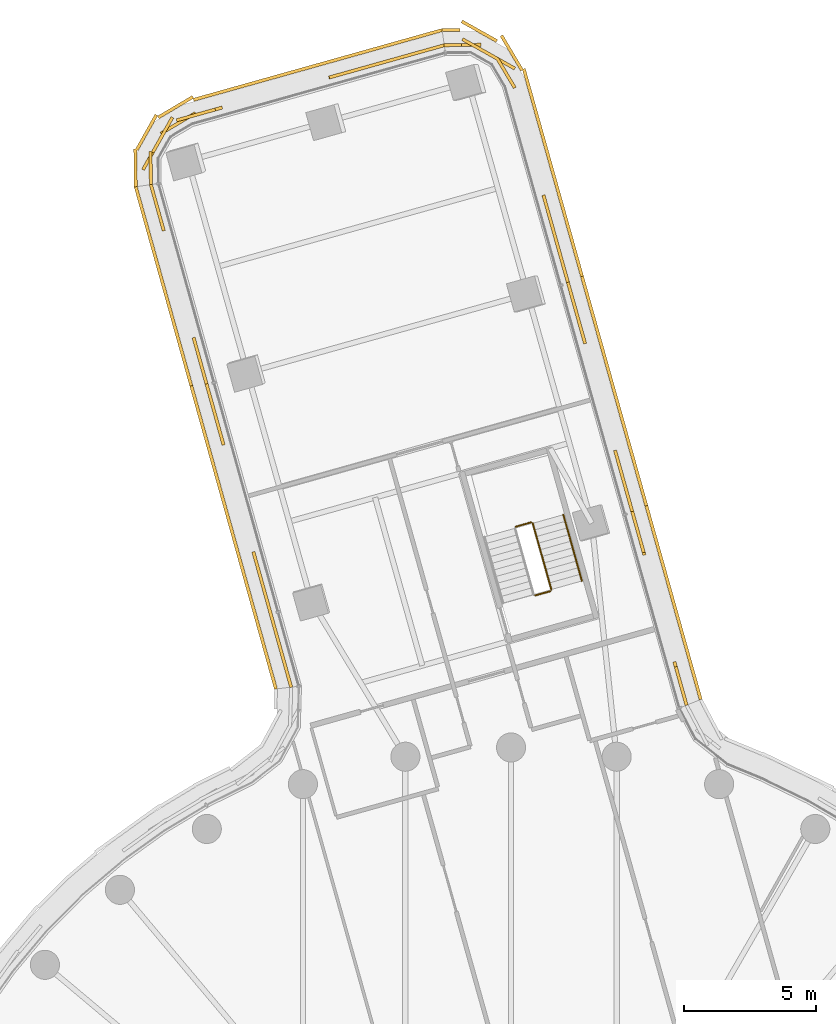
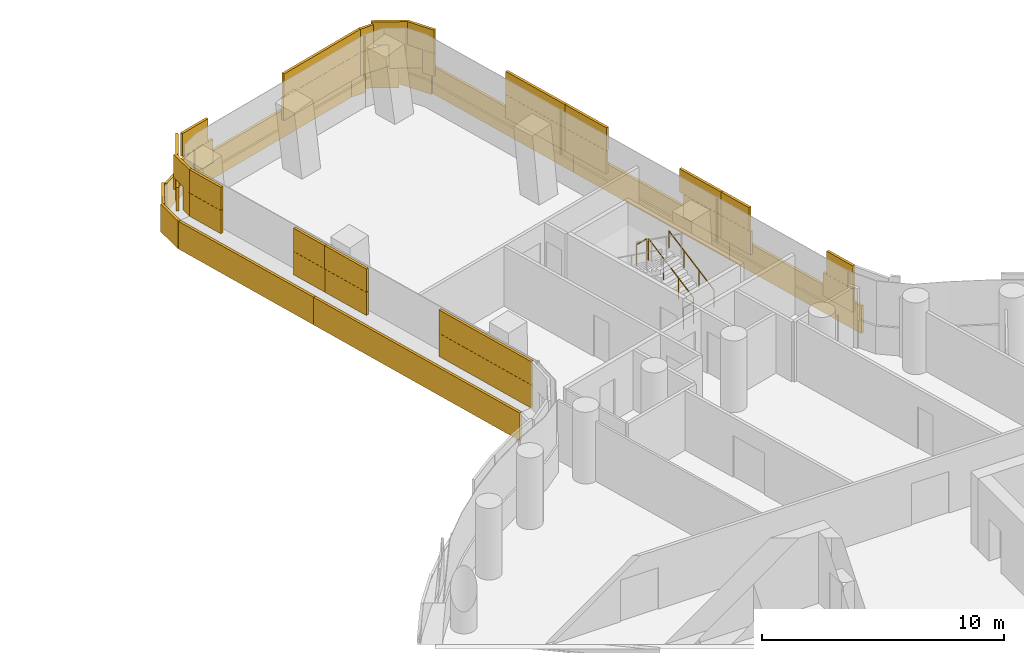
# One storey, part 30 of 30: 6 coverings, 4 railings.
"""IFC4 building model written with IfcOpenShell, lengths in metres."""

from ifc_helpers import new_model, si_unit, direction, frame, origin, origin_2d, place, context, subcontext, project, spatial, rectangle, circle, extrude, material, layer, layer_set, type_object, element, save


model = new_model("IFC4")

# Units and contexts
model_context = context("Model", 3, precision=1e-05, world=origin(), true_north=direction((0.0, 1.0)))
body_context = subcontext(model_context, "Body", "Model", "MODEL_VIEW")
ifc_project = project(units=[si_unit("LENGTHUNIT", "METRE"), si_unit("AREAUNIT", "SQUARE_METRE"), si_unit("VOLUMEUNIT", "CUBIC_METRE"), si_unit("PLANEANGLEUNIT", "RADIAN"), si_unit("MASSUNIT", "GRAM", prefix="KILO")], contexts=[model_context])

# Site, building, storey
site_placement = place(None, origin())
site = spatial("IfcSite", under=ifc_project, at=site_placement, CompositionType="ELEMENT")
building_placement = place(site_placement, origin())
building = spatial("IfcBuilding", under=site, at=building_placement, Name="Tamarind Cross Interchange Tower", CompositionType="ELEMENT")
storey_placement = place(building_placement, frame((0.0, 0.0, 91.0)))
storey = spatial("IfcBuildingStorey", under=building, at=storey_placement, Name="L21", CompositionType="ELEMENT", Elevation=91.0)

# Railings
ifc_material_1 = material(Name="Stair guard")
railing_type_1 = type_object("IfcRailingType", Name="Stair guard", PredefinedType="GUARDRAIL", material=ifc_material_1)
railing_1_placement = place(storey_placement, frame((1.523681640625, 28.970703125, 0.17041015625)))
element("IfcRailing", 1, at=railing_1_placement, inside=storey, type_object=railing_type_1, Name="L21 ST4 stair guard 1", PredefinedType="GUARDRAIL", context=body_context, shape_type="SweptSolid", body=[
    extrude(circle(Radius=0.02392578125, at=origin_2d()), frame((0.0, 0.0, 1.076171875), z_axis=(-0.225919982143, 0.805208028118, 0.548270182594), x_axis=(-0.962820530376, -0.270141863262, 0.0)), (0.0, 0.0, 1.0), 3.109130859375),
    extrude(circle(Radius=0.02099609375, at=origin_2d()), origin(), (0.0, 0.0, 1.0), 1.052001953125),
    extrude(circle(Radius=0.02099609375, at=origin_2d()), frame((-0.234130859375, 0.83447265625, 0.568115234375)), (0.0, 0.0, 1.0), 1.052001953125),
    extrude(circle(Radius=0.02099609375, at=origin_2d()), frame((-0.46826171875, 1.6689453125, 1.136474609375)), (0.0, 0.0, 1.0), 1.052001953125),
    extrude(circle(Radius=0.02099609375, at=origin_2d()), frame((-0.702392578125, 2.50341796875, 1.70458984375)), (0.0, 0.0, 1.0), 1.052001953125),
])
railing_2_placement = place(storey_placement, frame((0.759765625, 31.5087890625, 1.875)))
element("IfcRailing", 2, at=railing_2_placement, inside=storey, type_object=railing_type_1, Name="L21 ST4 stair guard 2", PredefinedType="GUARDRAIL", context=body_context, shape_type="SweptSolid", body=[
    extrude(circle(Radius=0.02392578125, at=origin_2d()), frame((0.0, 0.0, 1.076171875), z_axis=(-0.962832941944, -0.27009762292, 0.0), x_axis=(0.27009762292, -0.962832941944, 0.0)), (0.0, 0.0, 1.0), 0.60009765625),
    extrude(circle(Radius=0.02099609375, at=origin_2d()), origin(), (0.0, 0.0, 1.0), 1.052001953125),
    extrude(circle(Radius=0.02099609375, at=origin_2d()), frame((-0.577880859375, -0.162109375, 0.0)), (0.0, 0.0, 1.0), 1.052001953125),
])
railing_3_placement = place(storey_placement, frame((1.489013671875, 28.9091796875, 0.0)))
element("IfcRailing", 3, at=railing_3_placement, inside=storey, type_object=railing_type_1, Name="L21 ST4 stair guard 4", PredefinedType="GUARDRAIL", context=body_context, shape_type="SweptSolid", body=[
    extrude(circle(Radius=0.02392578125, at=origin_2d()), frame((0.0, 0.0, 1.076171875), z_axis=(-0.962803249264, -0.270203447807, 0.0), x_axis=(0.270203447807, -0.962803249264, 0.0)), (0.0, 0.0, 1.0), 0.599853515625),
    extrude(circle(Radius=0.02099609375, at=origin_2d()), origin(), (0.0, 0.0, 1.0), 1.052001953125),
    extrude(circle(Radius=0.02099609375, at=origin_2d()), frame((-0.57763671875, -0.162109375, 0.0)), (0.0, 0.0, 1.0), 1.052001953125),
])
ifc_material_2 = material(Name="Stair handrail")
railing_type_2 = type_object("IfcRailingType", Name="Stair handrail", PredefinedType="HANDRAIL", material=ifc_material_2)
railing_4_placement = place(storey_placement, frame((2.678955078125, 29.294921875, 0.17041015625)))
element("IfcRailing", 4, at=railing_4_placement, inside=storey, type_object=railing_type_2, Name="L21 ST4 stair handrail 1", PredefinedType="HANDRAIL", context=body_context, shape_type="SweptSolid", body=[
    extrude(circle(Radius=0.02392578125, at=origin_2d()), frame((0.0, 0.0, 0.8759765625), z_axis=(-0.22584546189, 0.805222310926, 0.54827990783), x_axis=(-0.962844949512, -0.270054815174, 0.0)), (0.0, 0.0, 1.0), 3.10888671875),
    extrude(circle(Radius=0.02099609375, at=origin_2d()), origin(), (0.0, 0.0, 1.0), 0.851806640625),
    extrude(circle(Radius=0.02099609375, at=origin_2d()), frame((-0.234130859375, 0.83447265625, 0.568115234375)), (0.0, 0.0, 1.0), 0.851806640625),
    extrude(circle(Radius=0.02099609375, at=origin_2d()), frame((-0.468017578125, 1.6689453125, 1.136474609375)), (0.0, 0.0, 1.0), 0.851806640625),
    extrude(circle(Radius=0.02099609375, at=origin_2d()), frame((-0.7021484375, 2.50341796875, 1.70458984375)), (0.0, 0.0, 1.0), 0.851806640625),
])

# Coverings
ifc_material_3 = material(Name="Terracotta", Category="masonry")
ifc_layer = layer(ifc_material_3, 0.1201171875)
ifc_layer_set = layer_set([ifc_layer], Name="Terracotta")
covering_type = type_object("IfcCoveringType", Name="Terracotta baguette screen unit", PredefinedType="MOLDING", material=ifc_layer_set)
covering_1_placement = place(storey_placement, origin())
element("IfcCovering", 5, at=covering_1_placement, inside=storey, type_object=covering_type, Name="SCR-L21-07-00", PredefinedType="MOLDING", context=body_context, shape_type="SweptSolid", body=[
    extrude(rectangle(XDim=0.760009765625, YDim=0.1201171875, at=origin_2d()), frame((6.532958984375, 24.961181640625, 1.404052734375), z_axis=(0.0, 0.0, 1.0), x_axis=(-0.270129953744, 0.962823871791, 0.0)), (0.0, 0.0, 1.0), 1.1669921875),
    extrude(rectangle(XDim=0.95947265625, YDim=0.1201171875, at=origin_2d()), frame((6.303466796875, 25.779296875, 1.404052734375), z_axis=(0.0, 0.0, 1.0), x_axis=(-0.270129953744, 0.962823871791, 0.0)), (0.0, 0.0, 1.0), 1.1669921875),
    extrude(rectangle(XDim=0.860595703125, YDim=0.1201171875, at=origin_2d()), frame((4.92578125, 30.689697265625, 1.404052734375), z_axis=(0.0, 0.0, 1.0), x_axis=(-0.270129953744, 0.962823871791, 0.0)), (0.0, 0.0, 1.0), 1.1669921875),
    extrude(rectangle(XDim=0.85888671875, YDim=0.1201171875, at=origin_2d()), frame((4.6962890625, 31.5078125, 1.404052734375), z_axis=(0.0, 0.0, 1.0), x_axis=(-0.270129953744, 0.962823871791, 0.0)), (0.0, 0.0, 1.0), 1.1669921875),
    extrude(rectangle(XDim=1.510009765625, YDim=0.1201171875, at=origin_2d()), frame((6.431640625, 25.322021484375, 2.5791015625), z_axis=(0.0, 0.0, 1.0), x_axis=(-0.270129953744, 0.962823871791, 0.0)), (0.0, 0.0, 1.0), 1.1669921875),
    extrude(rectangle(XDim=1.52001953125, YDim=0.1201171875, at=origin_2d()), frame((4.81103515625, 31.09912109375, 2.5791015625), z_axis=(0.0, 0.0, 1.0), x_axis=(-0.270129953744, 0.962823871791, 0.0)), (0.0, 0.0, 1.0), 1.1669921875),
    extrude(rectangle(XDim=0.10888671875, YDim=0.1201171875, at=origin_2d()), frame((4.594970703125, 31.868896484375, 2.5791015625), z_axis=(0.0, 0.0, 1.0), x_axis=(-0.270129953744, 0.962823871791, 0.0)), (0.0, 0.0, 1.0), 1.1669921875),
    extrude(rectangle(XDim=0.760009765625, YDim=0.1201171875, at=origin_2d()), frame((7.06787109375, 25.17919921875, 0.00390625), z_axis=(0.0, 0.0, 1.0), x_axis=(-0.270129953744, 0.962823871791, 0.0)), (0.0, 0.0, 1.0), 1.39208984375),
    extrude(rectangle(XDim=1.52001953125, YDim=0.1201171875, at=origin_2d()), frame((6.765380859375, 26.257568359375, 0.00390625), z_axis=(0.0, 0.0, 1.0), x_axis=(-0.270129953744, 0.962823871791, 0.0)), (0.0, 0.0, 1.0), 1.39208984375),
    extrude(rectangle(XDim=1.52001953125, YDim=0.1201171875, at=origin_2d()), frame((6.360107421875, 27.701904296875, 0.00390625), z_axis=(0.0, 0.0, 1.0), x_axis=(-0.270129953744, 0.962823871791, 0.0)), (0.0, 0.0, 1.0), 1.39208984375),
    extrude(rectangle(XDim=1.52001953125, YDim=0.1201171875, at=origin_2d()), frame((5.955078125, 29.14599609375, 0.00390625), z_axis=(0.0, 0.0, 1.0), x_axis=(-0.270129953744, 0.962823871791, 0.0)), (0.0, 0.0, 1.0), 1.39208984375),
    extrude(rectangle(XDim=1.52001953125, YDim=0.1201171875, at=origin_2d()), frame((5.5498046875, 30.59033203125, 0.00390625), z_axis=(0.0, 0.0, 1.0), x_axis=(-0.270129953744, 0.962823871791, 0.0)), (0.0, 0.0, 1.0), 1.39208984375),
    extrude(rectangle(XDim=0.863525390625, YDim=0.1201171875, at=origin_2d()), frame((5.2333984375, 31.718505859375, 0.00390625), z_axis=(0.0, 0.0, 1.0), x_axis=(-0.270129953744, 0.962823871791, 0.0)), (0.0, 0.0, 1.0), 1.39208984375),
])
covering_2_placement = place(storey_placement, origin())
element("IfcCovering", 6, at=covering_2_placement, inside=storey, type_object=covering_type, Name="SCR-L21-07-01", PredefinedType="MOLDING", context=body_context, shape_type="SweptSolid", body=[
    extrude(rectangle(XDim=0.6611328125, YDim=0.1201171875, at=origin_2d()), frame((4.49365234375, 32.22998046875, 1.404052734375), z_axis=(0.0, 0.0, 1.0), x_axis=(-0.270129953744, 0.962823871791, 0.0)), (0.0, 0.0, 1.0), 1.1669921875),
    extrude(rectangle(XDim=1.52001953125, YDim=0.1201171875, at=origin_2d()), frame((4.203125, 33.265380859375, 1.404052734375), z_axis=(0.0, 0.0, 1.0), x_axis=(-0.270129953744, 0.962823871791, 0.0)), (0.0, 0.0, 1.0), 1.1669921875),
    extrude(rectangle(XDim=1.52001953125, YDim=0.1201171875, at=origin_2d()), frame((2.582275390625, 39.04248046875, 1.404052734375), z_axis=(0.0, 0.0, 1.0), x_axis=(-0.270129953744, 0.962823871791, 0.0)), (0.0, 0.0, 1.0), 1.1669921875),
    extrude(rectangle(XDim=0.85986328125, YDim=0.1201171875, at=origin_2d()), frame((2.264892578125, 40.173583984375, 1.404052734375), z_axis=(0.0, 0.0, 1.0), x_axis=(-0.270129953744, 0.962823871791, 0.0)), (0.0, 0.0, 1.0), 1.1669921875),
    extrude(rectangle(XDim=1.4111328125, YDim=0.1201171875, at=origin_2d()), frame((4.392333984375, 32.591064453125, 2.5791015625), z_axis=(0.0, 0.0, 1.0), x_axis=(-0.270129953744, 0.962823871791, 0.0)), (0.0, 0.0, 1.0), 1.1669921875),
    extrude(rectangle(XDim=1.009521484375, YDim=0.1201171875, at=origin_2d()), frame((4.068115234375, 33.74658203125, 2.5791015625), z_axis=(0.0, 0.0, 1.0), x_axis=(-0.270129953744, 0.962823871791, 0.0)), (0.0, 0.0, 1.0), 1.1669921875),
    extrude(rectangle(XDim=0.810546875, YDim=0.1201171875, at=origin_2d()), frame((2.6904296875, 38.656982421875, 2.5791015625), z_axis=(0.0, 0.0, 1.0), x_axis=(-0.270129953744, 0.962823871791, 0.0)), (0.0, 0.0, 1.0), 1.1669921875),
    extrude(rectangle(XDim=1.52001953125, YDim=0.1201171875, at=origin_2d()), frame((2.379638671875, 39.764404296875, 2.5791015625), z_axis=(0.0, 0.0, 1.0), x_axis=(-0.270129953744, 0.962823871791, 0.0)), (0.0, 0.0, 1.0), 1.1669921875),
    extrude(rectangle(XDim=0.10986328125, YDim=0.1201171875, at=origin_2d()), frame((2.16357421875, 40.53466796875, 2.5791015625), z_axis=(0.0, 0.0, 1.0), x_axis=(-0.270129953744, 0.962823871791, 0.0)), (0.0, 0.0, 1.0), 1.1669921875),
    extrude(rectangle(XDim=0.656494140625, YDim=0.1201171875, at=origin_2d()), frame((5.028076171875, 32.4501953125, 0.00390625), z_axis=(0.0, 0.0, 1.0), x_axis=(-0.270129953744, 0.962823871791, 0.0)), (0.0, 0.0, 1.0), 1.39208984375),
    extrude(rectangle(XDim=1.52001953125, YDim=0.1201171875, at=origin_2d()), frame((4.739501953125, 33.478759765625, 0.00390625), z_axis=(0.0, 0.0, 1.0), x_axis=(-0.270129953744, 0.962823871791, 0.0)), (0.0, 0.0, 1.0), 1.39208984375),
    extrude(rectangle(XDim=1.52001953125, YDim=0.1201171875, at=origin_2d()), frame((4.334228515625, 34.923095703125, 0.00390625), z_axis=(0.0, 0.0, 1.0), x_axis=(-0.270129953744, 0.962823871791, 0.0)), (0.0, 0.0, 1.0), 1.39208984375),
    extrude(rectangle(XDim=1.52001953125, YDim=0.1201171875, at=origin_2d()), frame((3.928955078125, 36.3671875, 0.00390625), z_axis=(0.0, 0.0, 1.0), x_axis=(-0.270129953744, 0.962823871791, 0.0)), (0.0, 0.0, 1.0), 1.39208984375),
    extrude(rectangle(XDim=1.52001953125, YDim=0.1201171875, at=origin_2d()), frame((3.52392578125, 37.8115234375, 0.00390625), z_axis=(0.0, 0.0, 1.0), x_axis=(-0.270129953744, 0.962823871791, 0.0)), (0.0, 0.0, 1.0), 1.39208984375),
    extrude(rectangle(XDim=1.52001953125, YDim=0.1201171875, at=origin_2d()), frame((3.11865234375, 39.255615234375, 0.00390625), z_axis=(0.0, 0.0, 1.0), x_axis=(-0.270129953744, 0.962823871791, 0.0)), (0.0, 0.0, 1.0), 1.39208984375),
    extrude(rectangle(XDim=0.8701171875, YDim=0.1201171875, at=origin_2d()), frame((2.80126953125, 40.38720703125, 0.00390625), z_axis=(0.0, 0.0, 1.0), x_axis=(-0.270129953744, 0.962823871791, 0.0)), (0.0, 0.0, 1.0), 1.39208984375),
])
covering_3_placement = place(storey_placement, origin())
element("IfcCovering", 7, at=covering_3_placement, inside=storey, type_object=covering_type, Name="SCR-L21-07-02", PredefinedType="MOLDING", context=body_context, shape_type="SweptSolid", body=[
    extrude(rectangle(XDim=0.66015625, YDim=0.1201171875, at=origin_2d()), frame((2.062255859375, 40.895751953125, 1.404052734375), z_axis=(0.0, 0.0, 1.0), x_axis=(-0.270129953744, 0.962823871791, 0.0)), (0.0, 0.0, 1.0), 1.1669921875),
    extrude(rectangle(XDim=1.52001953125, YDim=0.1201171875, at=origin_2d()), frame((1.77197265625, 41.930908203125, 1.404052734375), z_axis=(0.0, 0.0, 1.0), x_axis=(-0.270129953744, 0.962823871791, 0.0)), (0.0, 0.0, 1.0), 1.1669921875),
    extrude(rectangle(XDim=1.280029296875, YDim=0.1201171875, at=origin_2d()), frame((1.397705078125, 43.264404296875, 1.404052734375), z_axis=(0.0, 0.0, 1.0), x_axis=(-0.270129953744, 0.962823871791, 0.0)), (0.0, 0.0, 1.0), 1.1669921875),
    extrude(rectangle(XDim=0.5400390625, YDim=0.1201171875, at=origin_2d()), frame((0.003173828125, 48.16748046875, 1.404052734375), z_axis=(0.0, 0.0, 1.0), x_axis=(-0.510122653874, 0.860101667249, 0.0)), (0.0, 0.0, 1.0), 1.1669921875),
    extrude(rectangle(XDim=1.52001953125, YDim=0.1201171875, at=origin_2d()), frame((-0.519775390625, 49.03515625, 1.404052734375), z_axis=(0.0, 0.0, 1.0), x_axis=(-0.871830010925, 0.489808566738, 0.0)), (0.0, 0.0, 1.0), 1.1669921875),
    extrude(rectangle(XDim=1.400146484375, YDim=0.1201171875, at=origin_2d()), frame((-1.827880859375, 49.554443359375, 1.404052734375), z_axis=(0.0, 0.0, 1.0), x_axis=(-0.999931220612, -0.011728343677, 0.0)), (0.0, 0.0, 1.0), 1.1669921875),
    extrude(rectangle(XDim=1.41015625, YDim=0.1201171875, at=origin_2d()), frame((1.9609375, 41.2568359375, 2.5791015625), z_axis=(0.0, 0.0, 1.0), x_axis=(-0.270129953744, 0.962823871791, 0.0)), (0.0, 0.0, 1.0), 1.1669921875),
    extrude(rectangle(XDim=1.52001953125, YDim=0.1201171875, at=origin_2d()), frame((1.5693359375, 42.653076171875, 2.5791015625), z_axis=(0.0, 0.0, 1.0), x_axis=(-0.270129953744, 0.962823871791, 0.0)), (0.0, 0.0, 1.0), 1.1669921875),
    extrude(rectangle(XDim=0.530029296875, YDim=0.1201171875, at=origin_2d()), frame((1.296630859375, 43.62548828125, 2.5791015625), z_axis=(0.0, 0.0, 1.0), x_axis=(-0.270129953744, 0.962823871791, 0.0)), (0.0, 0.0, 1.0), 1.1669921875),
    extrude(rectangle(XDim=1.2900390625, YDim=0.1201171875, at=origin_2d()), frame((-0.188232421875, 48.489990234375, 2.5791015625), z_axis=(0.0, 0.0, 1.0), x_axis=(-0.510122653874, 0.860101667249, 0.0)), (0.0, 0.0, 1.0), 1.1669921875),
    extrude(rectangle(XDim=1.52001953125, YDim=0.1201171875, at=origin_2d()), frame((-1.173583984375, 49.402587890625, 2.5791015625), z_axis=(0.0, 0.0, 1.0), x_axis=(-0.871830010925, 0.489808566738, 0.0)), (0.0, 0.0, 1.0), 1.1669921875),
    extrude(rectangle(XDim=0.650146484375, YDim=0.1201171875, at=origin_2d()), frame((-2.202880859375, 49.550048828125, 2.5791015625), z_axis=(0.0, 0.0, 1.0), x_axis=(-0.999931220612, -0.011728343677, 0.0)), (0.0, 0.0, 1.0), 1.1669921875),
    extrude(rectangle(XDim=0.64990234375, YDim=0.1201171875, at=origin_2d()), frame((2.595947265625, 41.118896484375, 0.00390625), z_axis=(0.0, 0.0, 1.0), x_axis=(-0.270129953744, 0.962823871791, 0.0)), (0.0, 0.0, 1.0), 1.39208984375),
    extrude(rectangle(XDim=1.52001953125, YDim=0.1201171875, at=origin_2d()), frame((2.308349609375, 42.144287109375, 0.00390625), z_axis=(0.0, 0.0, 1.0), x_axis=(-0.270129953744, 0.962823871791, 0.0)), (0.0, 0.0, 1.0), 1.39208984375),
    extrude(rectangle(XDim=1.52001953125, YDim=0.1201171875, at=origin_2d()), frame((1.903076171875, 43.58837890625, 0.00390625), z_axis=(0.0, 0.0, 1.0), x_axis=(-0.270129953744, 0.962823871791, 0.0)), (0.0, 0.0, 1.0), 1.39208984375),
    extrude(rectangle(XDim=1.52001953125, YDim=0.1201171875, at=origin_2d()), frame((1.497802734375, 45.03271484375, 0.00390625), z_axis=(0.0, 0.0, 1.0), x_axis=(-0.270129953744, 0.962823871791, 0.0)), (0.0, 0.0, 1.0), 1.39208984375),
    extrude(rectangle(XDim=1.52001953125, YDim=0.1201171875, at=origin_2d()), frame((1.0927734375, 46.476806640625, 0.00390625), z_axis=(0.0, 0.0, 1.0), x_axis=(-0.270129953744, 0.962823871791, 0.0)), (0.0, 0.0, 1.0), 1.39208984375),
    extrude(rectangle(XDim=1.52001953125, YDim=0.1201171875, at=origin_2d()), frame((0.6875, 47.921142578125, 0.00390625), z_axis=(0.0, 0.0, 1.0), x_axis=(-0.270129953744, 0.962823871791, 0.0)), (0.0, 0.0, 1.0), 1.39208984375),
    extrude(rectangle(XDim=1.52001953125, YDim=0.1201171875, at=origin_2d()), frame((0.025390625, 49.25537109375, 0.00390625), z_axis=(0.0, 0.0, 1.0), x_axis=(-0.510122653874, 0.860101667249, 0.0)), (0.0, 0.0, 1.0), 1.39208984375),
    extrude(rectangle(XDim=1.52001953125, YDim=0.1201171875, at=origin_2d()), frame((-1.19921875, 50.0751953125, 0.00390625), z_axis=(0.0, 0.0, 1.0), x_axis=(-0.871830010925, 0.489808566738, 0.0)), (0.0, 0.0, 1.0), 1.39208984375),
    extrude(rectangle(XDim=0.681640625, YDim=0.1201171875, at=origin_2d()), frame((-2.264404296875, 50.123291015625, 0.00390625), z_axis=(0.0, 0.0, 1.0), x_axis=(-0.999931220612, -0.011728343677, 0.0)), (0.0, 0.0, 1.0), 1.39208984375),
])
covering_4_placement = place(storey_placement, origin())
element("IfcCovering", 8, at=covering_4_placement, inside=storey, type_object=covering_type, Name="SCR-L21-08-00", PredefinedType="MOLDING", context=body_context, shape_type="SweptSolid", body=[
    extrude(rectangle(XDim=0.760009765625, YDim=0.1201171875, at=origin_2d()), frame((-2.884033203125, 49.44482421875, 1.404052734375), z_axis=(0.0, 0.0, 1.0), x_axis=(-0.962823871791, -0.270129953744, 0.0)), (0.0, 0.0, 1.0), 1.1669921875),
    extrude(rectangle(XDim=1.52001953125, YDim=0.1201171875, at=origin_2d()), frame((-3.96728515625, 49.140869140625, 1.404052734375), z_axis=(0.0, 0.0, 1.0), x_axis=(-0.962823871791, -0.270129953744, 0.0)), (0.0, 0.0, 1.0), 1.1669921875),
    extrude(rectangle(XDim=1.52001953125, YDim=0.1201171875, at=origin_2d()), frame((-5.411376953125, 48.73583984375, 1.404052734375), z_axis=(0.0, 0.0, 1.0), x_axis=(-0.962823871791, -0.270129953744, 0.0)), (0.0, 0.0, 1.0), 1.1669921875),
    extrude(rectangle(XDim=0.784912109375, YDim=0.1201171875, at=origin_2d()), frame((-6.506591796875, 48.428466796875, 1.404052734375), z_axis=(0.0, 0.0, 1.0), x_axis=(-0.962823871791, -0.270129953744, 0.0)), (0.0, 0.0, 1.0), 1.1669921875),
    extrude(rectangle(XDim=1.03515625, YDim=0.1201171875, at=origin_2d()), frame((-11.4169921875, 47.05078125, 1.404052734375), z_axis=(0.0, 0.0, 1.0), x_axis=(-0.962823871791, -0.270129953744, 0.0)), (0.0, 0.0, 1.0), 1.1669921875),
    extrude(rectangle(XDim=1.52001953125, YDim=0.1201171875, at=origin_2d()), frame((-12.583740234375, 46.595458984375, 1.404052734375), z_axis=(0.0, 0.0, 1.0), x_axis=(-0.860101667249, -0.510122653874, 0.0)), (0.0, 0.0, 1.0), 1.1669921875),
    extrude(rectangle(XDim=1.52001953125, YDim=0.1201171875, at=origin_2d()), frame((-13.538818359375, 45.5029296875, 1.404052734375), z_axis=(0.0, 0.0, 1.0), x_axis=(-0.489808566738, -0.871830010925, 0.0)), (0.0, 0.0, 1.0), 1.1669921875),
    extrude(rectangle(XDim=0.509521484375, YDim=0.1201171875, at=origin_2d()), frame((-13.616455078125, 44.526123046875, 1.404052734375), z_axis=(0.0, 0.0, 1.0), x_axis=(0.011728343677, -0.999931220612, 0.0)), (0.0, 0.0, 1.0), 1.1669921875),
    extrude(rectangle(XDim=1.510009765625, YDim=0.1201171875, at=origin_2d()), frame((-3.2451171875, 49.343505859375, 2.5791015625), z_axis=(0.0, 0.0, 1.0), x_axis=(-0.962823871791, -0.270129953744, 0.0)), (0.0, 0.0, 1.0), 1.1669921875),
    extrude(rectangle(XDim=1.52001953125, YDim=0.1201171875, at=origin_2d()), frame((-4.689453125, 48.9384765625, 2.5791015625), z_axis=(0.0, 0.0, 1.0), x_axis=(-0.962823871791, -0.270129953744, 0.0)), (0.0, 0.0, 1.0), 1.1669921875),
    extrude(rectangle(XDim=1.52001953125, YDim=0.1201171875, at=origin_2d()), frame((-6.133544921875, 48.533203125, 2.5791015625), z_axis=(0.0, 0.0, 1.0), x_axis=(-0.962823871791, -0.270129953744, 0.0)), (0.0, 0.0, 1.0), 1.1669921875),
    extrude(rectangle(XDim=1.52001953125, YDim=0.1201171875, at=origin_2d()), frame((-11.91064453125, 46.912353515625, 2.5791015625), z_axis=(0.0, 0.0, 1.0), x_axis=(-0.962823871791, -0.270129953744, 0.0)), (0.0, 0.0, 1.0), 1.1669921875),
    extrude(rectangle(XDim=1.52001953125, YDim=0.1201171875, at=origin_2d()), frame((-13.17138671875, 46.15673828125, 2.5791015625), z_axis=(0.0, 0.0, 1.0), x_axis=(-0.489808566738, -0.871830010925, 0.0)), (0.0, 0.0, 1.0), 1.1669921875),
    extrude(rectangle(XDim=1.259521484375, YDim=0.1201171875, at=origin_2d()), frame((-13.620849609375, 44.901123046875, 2.5791015625), z_axis=(0.0, 0.0, 1.0), x_axis=(0.011728343677, -0.999931220612, 0.0)), (0.0, 0.0, 1.0), 1.1669921875),
    extrude(rectangle(XDim=0.760009765625, YDim=0.1201171875, at=origin_2d()), frame((-2.97119140625, 50.0166015625, 0.00390625), z_axis=(0.0, 0.0, 1.0), x_axis=(-0.962823871791, -0.270129953744, 0.0)), (0.0, 0.0, 1.0), 1.39208984375),
    extrude(rectangle(XDim=1.52001953125, YDim=0.1201171875, at=origin_2d()), frame((-4.049560546875, 49.714111328125, 0.00390625), z_axis=(0.0, 0.0, 1.0), x_axis=(-0.962823871791, -0.270129953744, 0.0)), (0.0, 0.0, 1.0), 1.39208984375),
    extrude(rectangle(XDim=1.52001953125, YDim=0.1201171875, at=origin_2d()), frame((-5.49365234375, 49.308837890625, 0.00390625), z_axis=(0.0, 0.0, 1.0), x_axis=(-0.962823871791, -0.270129953744, 0.0)), (0.0, 0.0, 1.0), 1.39208984375),
    extrude(rectangle(XDim=1.52001953125, YDim=0.1201171875, at=origin_2d()), frame((-6.93798828125, 48.903564453125, 0.00390625), z_axis=(0.0, 0.0, 1.0), x_axis=(-0.962823871791, -0.270129953744, 0.0)), (0.0, 0.0, 1.0), 1.39208984375),
    extrude(rectangle(XDim=1.52001953125, YDim=0.1201171875, at=origin_2d()), frame((-8.38232421875, 48.49853515625, 0.00390625), z_axis=(0.0, 0.0, 1.0), x_axis=(-0.962823871791, -0.270129953744, 0.0)), (0.0, 0.0, 1.0), 1.39208984375),
    extrude(rectangle(XDim=1.52001953125, YDim=0.1201171875, at=origin_2d()), frame((-9.826416015625, 48.09326171875, 0.00390625), z_axis=(0.0, 0.0, 1.0), x_axis=(-0.962823871791, -0.270129953744, 0.0)), (0.0, 0.0, 1.0), 1.39208984375),
    extrude(rectangle(XDim=1.52001953125, YDim=0.1201171875, at=origin_2d()), frame((-11.270751953125, 47.68798828125, 0.00390625), z_axis=(0.0, 0.0, 1.0), x_axis=(-0.962823871791, -0.270129953744, 0.0)), (0.0, 0.0, 1.0), 1.39208984375),
    extrude(rectangle(XDim=1.52001953125, YDim=0.1201171875, at=origin_2d()), frame((-12.681640625, 47.204833984375, 0.00390625), z_axis=(0.0, 0.0, 1.0), x_axis=(-0.860101667249, -0.510122653874, 0.0)), (0.0, 0.0, 1.0), 1.39208984375),
    extrude(rectangle(XDim=1.52001953125, YDim=0.1201171875, at=origin_2d()), frame((-13.77734375, 46.25, 0.00390625), z_axis=(0.0, 0.0, 1.0), x_axis=(-0.489808566738, -0.871830010925, 0.0)), (0.0, 0.0, 1.0), 1.39208984375),
    extrude(rectangle(XDim=1.4267578125, YDim=0.1201171875, at=origin_2d()), frame((-14.195068359375, 44.90771484375, 0.00390625), z_axis=(0.0, 0.0, 1.0), x_axis=(0.011728343677, -0.999931220612, 0.0)), (0.0, 0.0, 1.0), 1.39208984375),
])
covering_5_placement = place(storey_placement, origin())
element("IfcCovering", 9, at=covering_5_placement, inside=storey, type_object=covering_type, Name="SCR-L21-09-00", PredefinedType="MOLDING", context=body_context, shape_type="SweptSolid", body=[
    extrude(rectangle(XDim=0.760009765625, YDim=0.1201171875, at=origin_2d()), frame((-13.5126953125, 43.9150390625, 1.404052734375), z_axis=(0.0, 0.0, 1.0), x_axis=(0.26883067316, -0.963187452767, 0.0)), (0.0, 0.0, 1.0), 1.1669921875),
    extrude(rectangle(XDim=1.06640625, YDim=0.1201171875, at=origin_2d()), frame((-13.27001953125, 43.045166015625, 1.404052734375), z_axis=(0.0, 0.0, 1.0), x_axis=(0.26883067316, -0.963187452767, 0.0)), (0.0, 0.0, 1.0), 1.1669921875),
    extrude(rectangle(XDim=0.75341796875, YDim=0.1201171875, at=origin_2d()), frame((-11.89892578125, 38.1328125, 1.404052734375), z_axis=(0.0, 0.0, 1.0), x_axis=(0.26883067316, -0.963187452767, 0.0)), (0.0, 0.0, 1.0), 1.1669921875),
    extrude(rectangle(XDim=1.072998046875, YDim=0.1201171875, at=origin_2d()), frame((-11.656005859375, 37.262939453125, 1.404052734375), z_axis=(0.0, 0.0, 1.0), x_axis=(0.26883067316, -0.963187452767, 0.0)), (0.0, 0.0, 1.0), 1.1669921875),
    extrude(rectangle(XDim=1.510009765625, YDim=0.1201171875, at=origin_2d()), frame((-13.411865234375, 43.553955078125, 2.5791015625), z_axis=(0.0, 0.0, 1.0), x_axis=(0.26883067316, -0.963187452767, 0.0)), (0.0, 0.0, 1.0), 1.1669921875),
    extrude(rectangle(XDim=0.31640625, YDim=0.1201171875, at=origin_2d()), frame((-13.169189453125, 42.683837890625, 2.5791015625), z_axis=(0.0, 0.0, 1.0), x_axis=(0.26883067316, -0.963187452767, 0.0)), (0.0, 0.0, 1.0), 1.1669921875),
    extrude(rectangle(XDim=1.50341796875, YDim=0.1201171875, at=origin_2d()), frame((-11.798095703125, 37.771728515625, 2.5791015625), z_axis=(0.0, 0.0, 1.0), x_axis=(0.26883067316, -0.963187452767, 0.0)), (0.0, 0.0, 1.0), 1.1669921875),
    extrude(rectangle(XDim=0.322998046875, YDim=0.1201171875, at=origin_2d()), frame((-11.55517578125, 36.901611328125, 2.5791015625), z_axis=(0.0, 0.0, 1.0), x_axis=(0.26883067316, -0.963187452767, 0.0)), (0.0, 0.0, 1.0), 1.1669921875),
    extrude(rectangle(XDim=0.760009765625, YDim=0.1201171875, at=origin_2d()), frame((-14.08447265625, 43.828369140625, 0.00390625), z_axis=(0.0, 0.0, 1.0), x_axis=(0.26883067316, -0.963187452767, 0.0)), (0.0, 0.0, 1.0), 1.39208984375),
    extrude(rectangle(XDim=1.52001953125, YDim=0.1201171875, at=origin_2d()), frame((-13.783447265625, 42.74951171875, 0.00390625), z_axis=(0.0, 0.0, 1.0), x_axis=(0.26883067316, -0.963187452767, 0.0)), (0.0, 0.0, 1.0), 1.39208984375),
    extrude(rectangle(XDim=1.52001953125, YDim=0.1201171875, at=origin_2d()), frame((-13.380126953125, 41.304931640625, 0.00390625), z_axis=(0.0, 0.0, 1.0), x_axis=(0.26883067316, -0.963187452767, 0.0)), (0.0, 0.0, 1.0), 1.39208984375),
    extrude(rectangle(XDim=1.52001953125, YDim=0.1201171875, at=origin_2d()), frame((-12.976806640625, 39.860107421875, 0.00390625), z_axis=(0.0, 0.0, 1.0), x_axis=(0.26883067316, -0.963187452767, 0.0)), (0.0, 0.0, 1.0), 1.39208984375),
    extrude(rectangle(XDim=1.52001953125, YDim=0.1201171875, at=origin_2d()), frame((-12.57373046875, 38.415283203125, 0.00390625), z_axis=(0.0, 0.0, 1.0), x_axis=(0.26883067316, -0.963187452767, 0.0)), (0.0, 0.0, 1.0), 1.39208984375),
    extrude(rectangle(XDim=1.068359375, YDim=0.1201171875, at=origin_2d()), frame((-12.231201171875, 37.18798828125, 0.00390625), z_axis=(0.0, 0.0, 1.0), x_axis=(0.26883067316, -0.963187452767, 0.0)), (0.0, 0.0, 1.0), 1.39208984375),
])
covering_6_placement = place(storey_placement, origin())
element("IfcCovering", 10, at=covering_6_placement, inside=storey, type_object=covering_type, Name="SCR-L21-09-01", PredefinedType="MOLDING", context=body_context, shape_type="SweptSolid", body=[
    extrude(rectangle(XDim=0.447021484375, YDim=0.1201171875, at=origin_2d()), frame((-11.454345703125, 36.54052734375, 1.404052734375), z_axis=(0.0, 0.0, 1.0), x_axis=(0.26883067316, -0.963187452767, 0.0)), (0.0, 0.0, 1.0), 1.1669921875),
    extrude(rectangle(XDim=1.52001953125, YDim=0.1201171875, at=origin_2d()), frame((-11.194091796875, 35.607666015625, 1.404052734375), z_axis=(0.0, 0.0, 1.0), x_axis=(0.26883067316, -0.963187452767, 0.0)), (0.0, 0.0, 1.0), 1.1669921875),
    extrude(rectangle(XDim=0.47265625, YDim=0.1201171875, at=origin_2d()), frame((-10.930419921875, 34.662353515625, 1.404052734375), z_axis=(0.0, 0.0, 1.0), x_axis=(0.26883067316, -0.963187452767, 0.0)), (0.0, 0.0, 1.0), 1.1669921875),
    extrude(rectangle(XDim=1.347412109375, YDim=0.1201171875, at=origin_2d()), frame((-9.559326171875, 29.750244140625, 1.404052734375), z_axis=(0.0, 0.0, 1.0), x_axis=(0.26883067316, -0.963187452767, 0.0)), (0.0, 0.0, 1.0), 1.1669921875),
    extrude(rectangle(XDim=1.52001953125, YDim=0.1201171875, at=origin_2d()), frame((-9.177978515625, 28.3837890625, 1.404052734375), z_axis=(0.0, 0.0, 1.0), x_axis=(0.26883067316, -0.963187452767, 0.0)), (0.0, 0.0, 1.0), 1.1669921875),
    extrude(rectangle(XDim=1.52001953125, YDim=0.1201171875, at=origin_2d()), frame((-8.774658203125, 26.93896484375, 1.404052734375), z_axis=(0.0, 0.0, 1.0), x_axis=(0.26883067316, -0.963187452767, 0.0)), (0.0, 0.0, 1.0), 1.1669921875),
    extrude(rectangle(XDim=0.9814453125, YDim=0.1201171875, at=origin_2d()), frame((-8.4423828125, 25.74853515625, 1.404052734375), z_axis=(0.0, 0.0, 1.0), x_axis=(0.26883067316, -0.963187452767, 0.0)), (0.0, 0.0, 1.0), 1.1669921875),
    extrude(rectangle(XDim=1.197021484375, YDim=0.1201171875, at=origin_2d()), frame((-11.353759765625, 36.17919921875, 2.5791015625), z_axis=(0.0, 0.0, 1.0), x_axis=(0.26883067316, -0.963187452767, 0.0)), (0.0, 0.0, 1.0), 1.1669921875),
    extrude(rectangle(XDim=1.22265625, YDim=0.1201171875, at=origin_2d()), frame((-11.031005859375, 35.023681640625, 2.5791015625), z_axis=(0.0, 0.0, 1.0), x_axis=(0.26883067316, -0.963187452767, 0.0)), (0.0, 0.0, 1.0), 1.1669921875),
    extrude(rectangle(XDim=0.597412109375, YDim=0.1201171875, at=origin_2d()), frame((-9.66015625, 30.111328125, 2.5791015625), z_axis=(0.0, 0.0, 1.0), x_axis=(0.26883067316, -0.963187452767, 0.0)), (0.0, 0.0, 1.0), 1.1669921875),
    extrude(rectangle(XDim=1.52001953125, YDim=0.1201171875, at=origin_2d()), frame((-9.37939453125, 29.10595703125, 2.5791015625), z_axis=(0.0, 0.0, 1.0), x_axis=(0.26883067316, -0.963187452767, 0.0)), (0.0, 0.0, 1.0), 1.1669921875),
    extrude(rectangle(XDim=1.52001953125, YDim=0.1201171875, at=origin_2d()), frame((-8.976318359375, 27.661376953125, 2.5791015625), z_axis=(0.0, 0.0, 1.0), x_axis=(0.26883067316, -0.963187452767, 0.0)), (0.0, 0.0, 1.0), 1.1669921875),
    extrude(rectangle(XDim=1.52001953125, YDim=0.1201171875, at=origin_2d()), frame((-8.572998046875, 26.216552734375, 2.5791015625), z_axis=(0.0, 0.0, 1.0), x_axis=(0.26883067316, -0.963187452767, 0.0)), (0.0, 0.0, 1.0), 1.1669921875),
    extrude(rectangle(XDim=0.2314453125, YDim=0.1201171875, at=origin_2d()), frame((-8.341552734375, 25.387451171875, 2.5791015625), z_axis=(0.0, 0.0, 1.0), x_axis=(0.26883067316, -0.963187452767, 0.0)), (0.0, 0.0, 1.0), 1.1669921875),
    extrude(rectangle(XDim=0.45166015625, YDim=0.1201171875, at=origin_2d()), frame((-12.02685546875, 36.4560546875, 0.00390625), z_axis=(0.0, 0.0, 1.0), x_axis=(0.26883067316, -0.963187452767, 0.0)), (0.0, 0.0, 1.0), 1.39208984375),
    extrude(rectangle(XDim=1.52001953125, YDim=0.1201171875, at=origin_2d()), frame((-11.76708984375, 35.525634765625, 0.00390625), z_axis=(0.0, 0.0, 1.0), x_axis=(0.26883067316, -0.963187452767, 0.0)), (0.0, 0.0, 1.0), 1.39208984375),
    extrude(rectangle(XDim=1.52001953125, YDim=0.1201171875, at=origin_2d()), frame((-11.364013671875, 34.080810546875, 0.00390625), z_axis=(0.0, 0.0, 1.0), x_axis=(0.26883067316, -0.963187452767, 0.0)), (0.0, 0.0, 1.0), 1.39208984375),
    extrude(rectangle(XDim=1.52001953125, YDim=0.1201171875, at=origin_2d()), frame((-10.960693359375, 32.63623046875, 0.00390625), z_axis=(0.0, 0.0, 1.0), x_axis=(0.26883067316, -0.963187452767, 0.0)), (0.0, 0.0, 1.0), 1.39208984375),
    extrude(rectangle(XDim=1.52001953125, YDim=0.1201171875, at=origin_2d()), frame((-10.557373046875, 31.19140625, 0.00390625), z_axis=(0.0, 0.0, 1.0), x_axis=(0.26883067316, -0.963187452767, 0.0)), (0.0, 0.0, 1.0), 1.39208984375),
    extrude(rectangle(XDim=1.52001953125, YDim=0.1201171875, at=origin_2d()), frame((-10.154296875, 29.74658203125, 0.00390625), z_axis=(0.0, 0.0, 1.0), x_axis=(0.26883067316, -0.963187452767, 0.0)), (0.0, 0.0, 1.0), 1.39208984375),
    extrude(rectangle(XDim=1.52001953125, YDim=0.1201171875, at=origin_2d()), frame((-9.7509765625, 28.3017578125, 0.00390625), z_axis=(0.0, 0.0, 1.0), x_axis=(0.26883067316, -0.963187452767, 0.0)), (0.0, 0.0, 1.0), 1.39208984375),
    extrude(rectangle(XDim=1.52001953125, YDim=0.1201171875, at=origin_2d()), frame((-9.34765625, 26.85693359375, 0.00390625), z_axis=(0.0, 0.0, 1.0), x_axis=(0.26883067316, -0.963187452767, 0.0)), (0.0, 0.0, 1.0), 1.39208984375),
    extrude(rectangle(XDim=0.9697265625, YDim=0.1201171875, at=origin_2d()), frame((-9.018310546875, 25.67724609375, 0.00390625), z_axis=(0.0, 0.0, 1.0), x_axis=(0.26883067316, -0.963187452767, 0.0)), (0.0, 0.0, 1.0), 1.39208984375),
])

save(model, "model.ifc")
